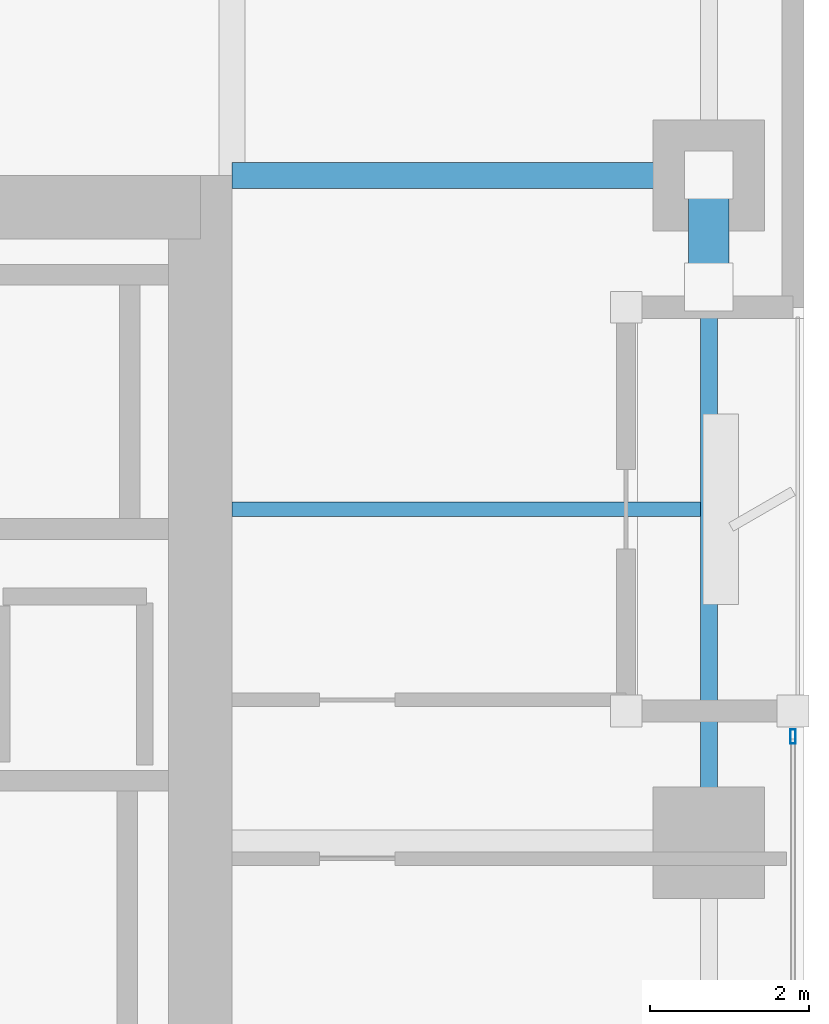
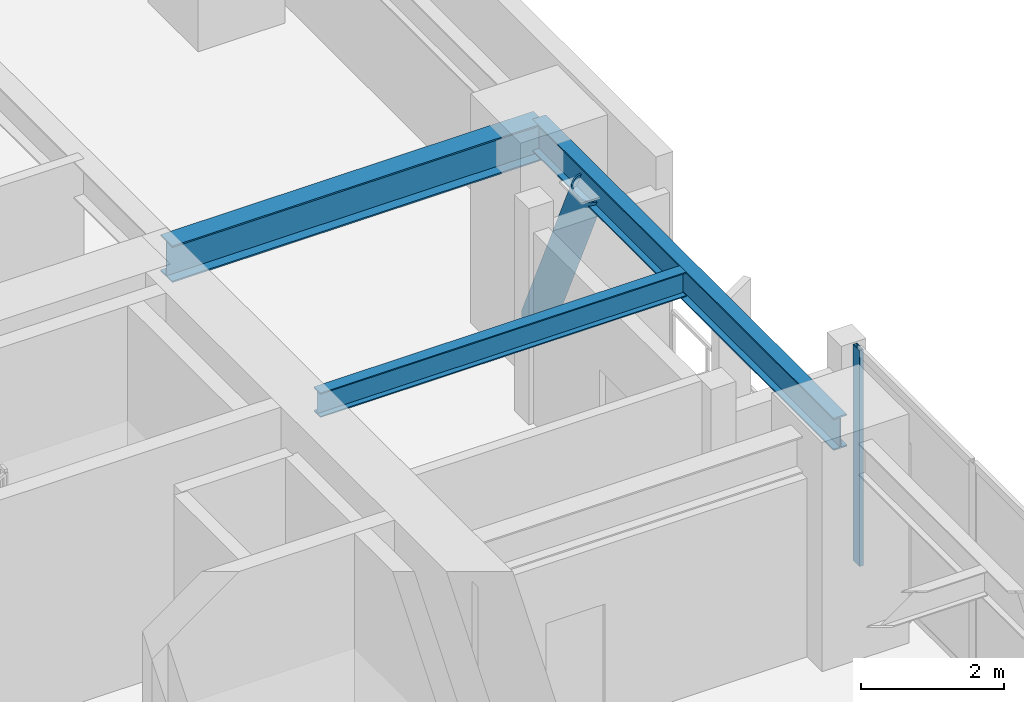
# One storey, part 11 of 30: 3 beams, 2 members, 1 element without a shape of its own.
"""IFC4 building model written with IfcOpenShell, lengths in metres."""

from ifc_helpers import new_model, si_unit, direction, frame, origin, origin_2d, place, context, subcontext, project, spatial, hollow_rectangle, hollow_circle, i_section, extrude, material, layer, layer_set, material_profile, profile_set, type_object, element, aggregate, save


model = new_model("IFC4")

# Units and contexts
model_context = context("Model", 3, precision=1e-05, world=origin(), true_north=direction((0.0, 1.0)))
body_context = subcontext(model_context, "Body", "Model", "MODEL_VIEW")
ifc_project = project(units=[si_unit("LENGTHUNIT", "METRE"), si_unit("AREAUNIT", "SQUARE_METRE"), si_unit("VOLUMEUNIT", "CUBIC_METRE"), si_unit("PLANEANGLEUNIT", "RADIAN"), si_unit("MASSUNIT", "GRAM", prefix="KILO")], contexts=[model_context])

# Site, building, storey
site_placement = place(None, origin())
site = spatial("IfcSite", under=ifc_project, at=site_placement, CompositionType="ELEMENT")
building_placement = place(site_placement, origin())
building = spatial("IfcBuilding", under=site, at=building_placement, Name="Kiyonajd Concourse Tower", CompositionType="ELEMENT")
storey_placement = place(building_placement, frame((0.0, 0.0, 150.60009765625)))
storey = spatial("IfcBuildingStorey", under=building, at=storey_placement, Name="L38", CompositionType="ELEMENT", Elevation=150.60009765625)

# Beams
ifc_material_1 = material(Name="Steel ASTM A992 Grade 50", Category="steel")
ifc_material_profile_1 = material_profile(ifc_material_1, i_section(OverallWidth=0.180908203125, OverallDepth=0.4169921875, WebThickness=0.010986328125, FlangeThickness=0.018310546875, at=origin_2d()), Name="W410X85")
ifc_profile_set_1 = profile_set([ifc_material_profile_1], Name="Steel ASTM A992 Grade 50")
beam_type_1 = type_object("IfcBeamType", Name="BM-JST-410", PredefinedType="JOIST", material=ifc_profile_set_1)
beam_1_placement = place(storey_placement, frame((63.60009765625, 40.199951171875, 3.471435546875), z_axis=(1.0, 0.0, 0.0), x_axis=(0.0, 1.0, 0.0)))
element("IfcBeam", 1, at=beam_1_placement, inside=storey, type_object=beam_type_1, Name="L38 East Secondary Floor Joist", PredefinedType="JOIST", context=body_context, shape_type="SweptSolid", body=[
    extrude(i_section(OverallWidth=0.180908203125, OverallDepth=0.4169921875, WebThickness=0.010986328125, FlangeThickness=0.018310546875, at=origin_2d()), origin(), (0.0, 0.0, 1.0), 5.892822265625),
])
ifc_material_profile_2 = material_profile(ifc_material_1, i_section(OverallWidth=0.214111328125, OverallDepth=0.549072265625, WebThickness=0.0146484375, FlangeThickness=0.023681640625, at=origin_2d()), Name="W530X138")
ifc_profile_set_2 = profile_set([ifc_material_profile_2], Name="Steel ASTM A992 Grade 50")
beam_type_2 = type_object("IfcBeamType", Name="BM-SPAN-530A", PredefinedType="SPANDREL", material=ifc_profile_set_2)
beam_2_placement = place(storey_placement, frame((69.60009765625, 36.0, 3.405517578125), z_axis=(0.0, 1.0, 0.0), x_axis=(-1.0, 0.0, 0.0)))
element("IfcBeam", 2, at=beam_2_placement, inside=storey, type_object=beam_type_2, Name="L38 Perimeter Bundled Tube Spandrel", PredefinedType="SPANDREL", context=body_context, shape_type="SweptSolid", body=[
    extrude(i_section(OverallWidth=0.214111328125, OverallDepth=0.549072265625, WebThickness=0.0146484375, FlangeThickness=0.023681640625, at=origin_2d()), origin(), (0.0, 0.0, 1.0), 8.39990234375),
])
ifc_material_profile_3 = material_profile(ifc_material_1, i_section(OverallWidth=0.326904296875, OverallDepth=0.6220703125, WebThickness=0.015380859375, FlangeThickness=0.0244140625, at=origin_2d()), Name="W610X195")
ifc_profile_set_3 = profile_set([ifc_material_profile_3], Name="Steel ASTM A992 Grade 50")
beam_type_3 = type_object("IfcBeamType", Name="BM-TWR-610A", PredefinedType="BEAM", material=ifc_profile_set_3)
beam_3_placement = place(storey_placement, frame((63.60009765625, 44.39990234375, 3.368896484375), z_axis=(1.0, 0.0, 0.0), x_axis=(0.0, 1.0, 0.0)))
element("IfcBeam", 3, at=beam_3_placement, inside=storey, type_object=beam_type_3, Name="L38 East Lease Girder", PredefinedType="BEAM", context=body_context, shape_type="SweptSolid", body=[
    extrude(i_section(OverallWidth=0.326904296875, OverallDepth=0.6220703125, WebThickness=0.015380859375, FlangeThickness=0.0244140625, at=origin_2d()), origin(), (0.0, 0.0, 1.0), 6.0),
])

# Curtain wall, member
ifc_material_2 = material(Name="Thermally Broken Anodised Aluminium", Category="aluminium")
ifc_layer = layer(ifc_material_2, 0.179931640625)
ifc_layer_set = layer_set([ifc_layer], Name="Thermally Broken Anodised Aluminium")
curtain_wall_type = type_object("IfcCurtainWallType", Name="CW-SYS-03", PredefinedType="NOTDEFINED", material=ifc_layer_set)
curtain_wall_placement = place(storey_placement, origin())
curtain_wall = element("IfcCurtainWall", 4, at=curtain_wall_placement, inside=storey, type_object=curtain_wall_type, Name="L38 Unitised Curtain Wall CW3", PredefinedType="NOTDEFINED")
ifc_material_profile_4 = material_profile(ifc_material_2, hollow_rectangle(XDim=0.06494140625, YDim=0.179931640625, WallThickness=0.00390625, at=origin_2d()), Name="MULL-65x180")
ifc_profile_set_4 = profile_set([ifc_material_profile_4], Name="Thermally Broken Anodised Aluminium")
member_type_1 = type_object("IfcMemberType", Name="MB-CW-MULL1", PredefinedType="MULLION", material=ifc_profile_set_4)
member_1_placement = place(storey_placement, frame((70.659912109375, 37.33740234375, 0.0), z_axis=(0.0, 0.0, 1.0), x_axis=(1.0, 0.0, 0.0)))
member_1 = element("IfcMember", 5, at=member_1_placement, type_object=member_type_1, Name="CW3 mullion 1", PredefinedType="MULLION", context=body_context, shape_type="SweptSolid", body=[
    extrude(hollow_rectangle(XDim=0.06494140625, YDim=0.179931640625, WallThickness=0.00390625, at=origin_2d()), origin(), (0.0, 0.0, 1.0), 3.679931640625),
])
aggregate(curtain_wall, [member_1])

# Member
ifc_material_3 = material(Name="Steel ASTM A500 Grade C", Category="steel")
ifc_material_profile_5 = material_profile(ifc_material_3, hollow_circle(Radius=0.25390625, WallThickness=0.02197265625, at=origin_2d()), Name="CHS-508x22")
ifc_profile_set_5 = profile_set([ifc_material_profile_5], Name="Steel ASTM A500 Grade C")
member_type_2 = type_object("IfcMemberType", Name="MB-PB-MID", PredefinedType="BRACE", material=ifc_profile_set_5)
member_2_placement = place(storey_placement, frame((69.60009765625, 44.39990234375, 0.2998046875), z_axis=(0.0, -0.419410666774, 0.907796614114), x_axis=(1.0, 0.0, 0.0)))
element("IfcMember", 6, at=member_2_placement, inside=storey, type_object=member_type_2, Name="L38 Upper Zone Hollow Tube Brace PBE", PredefinedType="BRACE", context=body_context, shape_type="SweptSolid", body=[
    extrude(hollow_circle(Radius=0.25390625, WallThickness=0.02197265625, at=origin_2d()), origin(), (0.0, 0.0, 1.0), 3.337890625),
])

save(model, "model.ifc")
